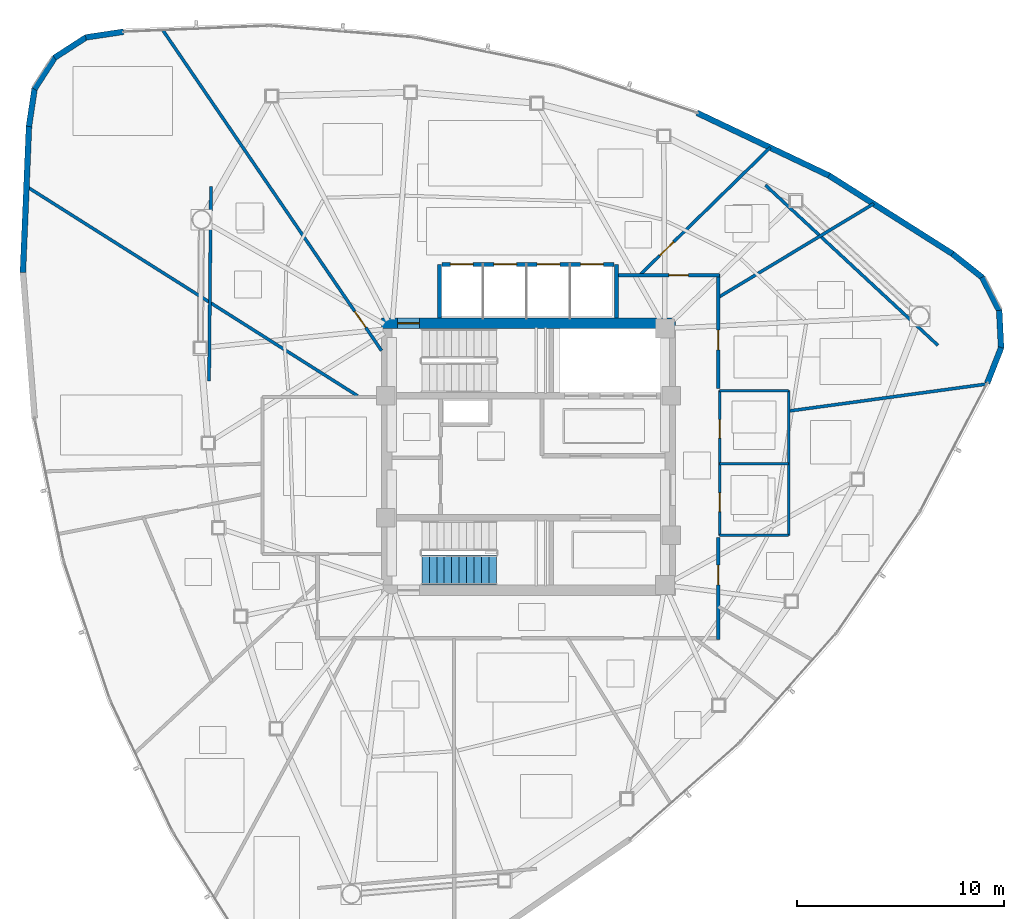
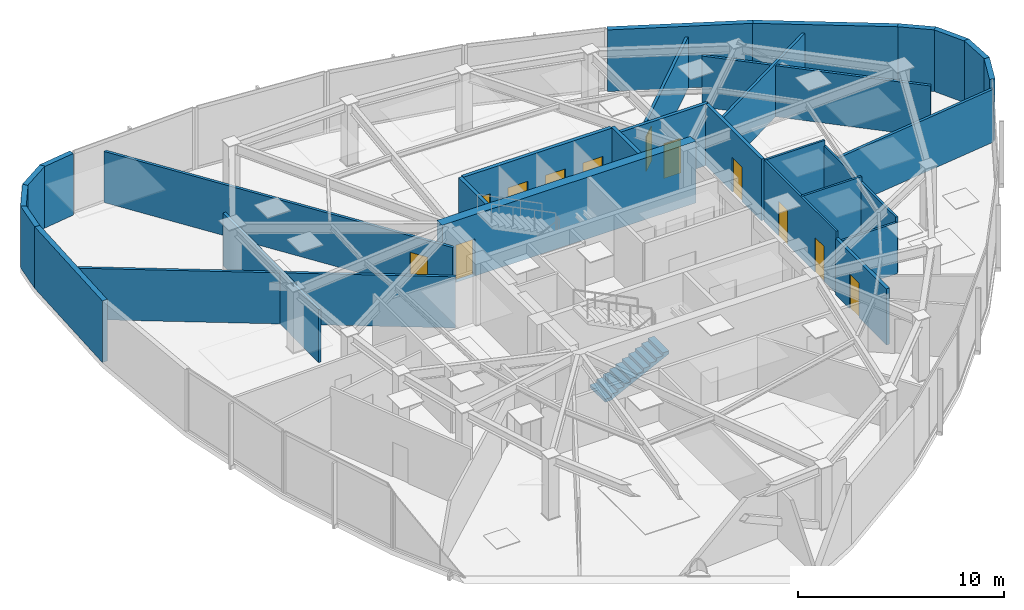
# One storey, part 11 of 15: 30 walls, 12 doors, 1 stair flight, 12 openings, 1 element without a shape of its own.
"""IFC4 building model written with IfcOpenShell, lengths in metres."""

from ifc_helpers import new_model, si_unit, direction, frame, frame_2d, origin, place, context, subcontext, project, spatial, polyline, rectangle, outline, extrude, material, layer, layer_set, type_object, element, fill, aggregate, save


model = new_model("IFC4")

# Units and contexts
model_context = context("Model", 3, precision=1e-05, world=origin(), true_north=direction((0.0, 1.0)))
body_context = subcontext(model_context, "Body", "Model", "MODEL_VIEW")
ifc_project = project(units=[si_unit("LENGTHUNIT", "METRE"), si_unit("AREAUNIT", "SQUARE_METRE"), si_unit("VOLUMEUNIT", "CUBIC_METRE"), si_unit("PLANEANGLEUNIT", "RADIAN"), si_unit("MASSUNIT", "GRAM", prefix="KILO")], contexts=[model_context])

# Site, building, storey
site_placement = place(None, origin())
site = spatial("IfcSite", under=ifc_project, at=site_placement, CompositionType="ELEMENT")
building_placement = place(site_placement, origin())
building = spatial("IfcBuilding", under=site, at=building_placement, Name="Tavelor Broadcast Tower", CompositionType="ELEMENT")
storey_placement = place(building_placement, frame((0.0, 0.0, 230.050048828125)))
storey = spatial("IfcBuildingStorey", under=building, at=storey_placement, Name="L54", CompositionType="ELEMENT", Elevation=230.050048828125)

# Wall, opening, door
ifc_material_1 = material(Name="Concrete C50/60", Category="concrete")
ifc_layer_1 = layer(ifc_material_1, 0.5)
ifc_layer_set_1 = layer_set([ifc_layer_1], Name="Concrete C50/60")
wall_type_1 = type_object("IfcWallType", Name="Core Shear Wall 500 mm", PredefinedType="SHEAR", material=ifc_layer_set_1)
wall_1_placement = place(storey_placement, frame((42.89990234375, 51.449951171875, 0.0), z_axis=(0.0, 0.0, 1.0), x_axis=(1.0, 0.0, 0.0)))
wall_1 = element("IfcWall", 1, at=wall_1_placement, inside=storey, type_object=wall_type_1, Name="L54 Central Core Shear Wall N", PredefinedType="SHEAR", context=body_context, shape_type="SweptSolid", body=[
    extrude(rectangle(XDim=14.2001953125, YDim=0.5, at=frame_2d((7.10009765625, 0.0))), origin(), (0.0, 0.0, 1.0), 3.64990234375),
])
opening_1_placement = place(wall_1_placement, frame((0.780029296875, 0.0, 0.0)))
opening_1 = element("IfcOpeningElement", 2, at=opening_1_placement, cuts=wall_1, Name="Opening DR11", PredefinedType="OPENING", context=body_context, shape_type="SweptSolid", body=[
    extrude(rectangle(XDim=1.050048828125, YDim=2.199951171875, at=frame_2d((0.52490234375, 1.10009765625))), frame((0.0, 0.260009765625, 0.0), z_axis=(0.0, -1.0, 0.0), x_axis=(1.0, 0.0, 0.0)), (0.0, 0.0, 1.0), 0.52001953125),
])
ifc_material_2 = material(Name="Steel S355", Category="steel")
door_type_1 = type_object("IfcDoorType", Name="Stair Core Fire Escape Door 1050x2200", OperationType="NOTDEFINED", PredefinedType="DOOR", material=ifc_material_2)
door_1_placement = place(opening_1_placement, origin())
door_1 = element("IfcDoor", 3, at=door_1_placement, inside=storey, type_object=door_type_1, Name="L54 Stair ST1 Protected Exit Door", OperationType="SINGLE_SWING_LEFT", OverallHeight=2.199951171875, OverallWidth=1.050048828125, PredefinedType="DOOR", context=body_context, shape_type="SweptSolid", body=[
    extrude(rectangle(XDim=1.050048828125, YDim=2.199951171875, at=frame_2d((0.52490234375, 1.10009765625))), frame((0.0, 0.02490234375, 0.0), z_axis=(0.0, -1.0, 0.0), x_axis=(1.0, 0.0, 0.0)), (0.0, 0.0, 1.0), 0.050048828125),
])
fill(opening_1, door_1)

ifc_material_3 = material(Name="Calcium Silicate Fire Board 180 mm", Category="gypsum")
ifc_layer_2 = layer(ifc_material_3, 0.179931640625)
ifc_layer_set_2 = layer_set([ifc_layer_2], Name="Calcium Silicate Fire Board 180 mm")
wall_type_2 = type_object("IfcWallType", Name="Fire-Rated Corridor Partition Wall 180 mm", PredefinedType="PARTITIONING", material=ifc_layer_set_2)
wall_2_placement = place(storey_placement, frame((54.300048828125, 53.780029296875, 0.0), z_axis=(0.0, 0.0, 1.0), x_axis=(1.0, 0.0, 0.0)))
wall_2 = element("IfcWall", 4, at=wall_2_placement, inside=storey, type_object=wall_type_2, Name="L54 Corridor Compartment Wall 01", PredefinedType="PARTITIONING", context=body_context, shape_type="SweptSolid", body=[
    extrude(rectangle(XDim=4.929931640625, YDim=0.179931640625, at=frame_2d((2.46484375, 0.0))), origin(), (0.0, 0.0, 1.0), 3.64990234375),
])
opening_2_placement = place(wall_2_placement, frame((2.486083984375, 0.0, 0.0)))
opening_2 = element("IfcOpeningElement", 5, at=opening_2_placement, cuts=wall_2, Name="Opening DR18", PredefinedType="OPENING", context=body_context, shape_type="SweptSolid", body=[
    extrude(rectangle(XDim=0.949951171875, YDim=2.050048828125, at=frame_2d((0.47509765625, 1.02490234375))), frame((0.0, 0.10009765625, 0.0), z_axis=(0.0, -1.0, 0.0), x_axis=(1.0, 0.0, 0.0)), (0.0, 0.0, 1.0), 0.199951171875),
])
ifc_material_4 = material(Name="Timber Solid Core Hardwood", Category="wood")
door_type_2 = type_object("IfcDoorType", Name="Corridor Rated Compartment Door 950x2050", OperationType="NOTDEFINED", PredefinedType="DOOR", material=ifc_material_4)
door_2_placement = place(opening_2_placement, origin())
door_2 = element("IfcDoor", 6, at=door_2_placement, inside=storey, type_object=door_type_2, Name="L54 Broadcast Craft Workshop Door R9", OperationType="SINGLE_SWING_RIGHT", OverallHeight=2.050048828125, OverallWidth=0.949951171875, PredefinedType="DOOR", context=body_context, shape_type="SweptSolid", body=[
    extrude(rectangle(XDim=0.949951171875, YDim=2.050048828125, at=frame_2d((0.47509765625, 1.02490234375))), frame((0.0, 0.02490234375, 0.0), z_axis=(0.0, -1.0, 0.0), x_axis=(1.0, 0.0, 0.0)), (0.0, 0.0, 1.0), 0.050048828125),
])
fill(opening_2, door_2)

wall_3_placement = place(storey_placement, frame((59.179931640625, 53.830078125, 0.0), z_axis=(0.0, 0.0, 1.0), x_axis=(0.0, -1.0, 0.0)))
wall_3 = element("IfcWall", 7, at=wall_3_placement, inside=storey, type_object=wall_type_2, Name="L54 Corridor Compartment Wall 02", PredefinedType="PARTITIONING", context=body_context, shape_type="SweptSolid", body=[
    extrude(rectangle(XDim=5.530029296875, YDim=0.179931640625, at=frame_2d((2.76513671875, 0.0))), origin(), (0.0, 0.0, 1.0), 3.64990234375),
])
opening_3_placement = place(wall_3_placement, frame((2.708984375, 0.0, 0.0)))
opening_3 = element("IfcOpeningElement", 8, at=opening_3_placement, cuts=wall_3, Name="Opening DR18", PredefinedType="OPENING", context=body_context, shape_type="SweptSolid", body=[
    extrude(rectangle(XDim=0.949951171875, YDim=2.050048828125, at=frame_2d((0.47509765625, 1.02490234375))), frame((0.0, 0.10009765625, 0.0), z_axis=(0.0, -1.0, 0.0), x_axis=(1.0, 0.0, 0.0)), (0.0, 0.0, 1.0), 0.199951171875),
])
door_3_placement = place(opening_3_placement, origin())
door_3 = element("IfcDoor", 9, at=door_3_placement, inside=storey, type_object=door_type_2, Name="L54 Master Control Room Door R10", OperationType="SINGLE_SWING_LEFT", OverallHeight=2.050048828125, OverallWidth=0.949951171875, PredefinedType="DOOR", context=body_context, shape_type="SweptSolid", body=[
    extrude(rectangle(XDim=0.949951171875, YDim=2.050048828125, at=frame_2d((0.47509765625, 1.02490234375))), frame((0.0, 0.02490234375, 0.0), z_axis=(0.0, -1.0, 0.0), x_axis=(1.0, 0.0, 0.0)), (0.0, 0.0, 1.0), 0.050048828125),
])
fill(opening_3, door_3)

wall_4_placement = place(storey_placement, frame((59.179931640625, 41.10009765625, 0.0), z_axis=(0.0, 0.0, 1.0), x_axis=(0.0, -1.0, 0.0)))
wall_4 = element("IfcWall", 10, at=wall_4_placement, inside=storey, type_object=wall_type_2, Name="L54 Corridor Compartment Wall 03", PredefinedType="PARTITIONING", context=body_context, shape_type="SweptSolid", body=[
    extrude(rectangle(XDim=4.93017578125, YDim=0.179931640625, at=frame_2d((2.465087890625, 0.0))), origin(), (0.0, 0.0, 1.0), 3.324951171875),
])
opening_4_placement = place(wall_4_placement, frame((1.341796875, 0.0, 0.0)))
opening_4 = element("IfcOpeningElement", 11, at=opening_4_placement, cuts=wall_4, Name="Opening DR18", PredefinedType="OPENING", context=body_context, shape_type="SweptSolid", body=[
    extrude(rectangle(XDim=0.949951171875, YDim=2.050048828125, at=frame_2d((0.47509765625, 1.02490234375))), frame((0.0, 0.10009765625, 0.0), z_axis=(0.0, -1.0, 0.0), x_axis=(1.0, 0.0, 0.0)), (0.0, 0.0, 1.0), 0.199951171875),
])
door_4_placement = place(opening_4_placement, origin())
door_4 = element("IfcDoor", 12, at=door_4_placement, inside=storey, type_object=door_type_2, Name="L54 Digital Publishing Workspace Door R11", OperationType="SINGLE_SWING_RIGHT", OverallHeight=2.050048828125, OverallWidth=0.949951171875, PredefinedType="DOOR", context=body_context, shape_type="SweptSolid", body=[
    extrude(rectangle(XDim=0.949951171875, YDim=2.050048828125, at=frame_2d((0.47509765625, 1.02490234375))), frame((0.0, 0.02490234375, 0.0), z_axis=(0.0, -1.0, 0.0), x_axis=(1.0, 0.0, 0.0)), (0.0, 0.0, 1.0), 0.050048828125),
])
fill(opening_4, door_4)

# Walls
ifc_material_5 = material(Name="Precast Concrete C40/50", Category="concrete")
ifc_layer_3 = layer(ifc_material_5, 0.280029296875)
ifc_layer_set_3 = layer_set([ifc_layer_3], Name="Precast Concrete C40/50")
wall_type_3 = type_object("IfcWallType", Name="Insulated Precast Terracotta Facade Wall 280 mm", PredefinedType="STANDARD", material=ifc_layer_set_3)
wall_5_placement = place(storey_placement, frame((30.424072265625, 65.544921875, 0.0), z_axis=(0.0, 0.0, 1.0), x_axis=(-0.988886729677, -0.148670897856, 0.0)))
element("IfcWall", 13, at=wall_5_placement, inside=storey, type_object=wall_type_3, Name="L54 Rounded Corner Structural Cladding Pier 01", PredefinedType="STANDARD", context=body_context, shape_type="SweptSolid", body=[
    extrude(rectangle(XDim=1.842529296875, YDim=0.280029296875, at=frame_2d((0.92138671875, 0.0))), origin(), (0.0, 0.0, 1.0), 3.64990234375),
])
wall_6_placement = place(storey_placement, frame((28.62939453125, 65.281494140625, 0.0), z_axis=(0.0, 0.0, 1.0), x_axis=(-0.84006342803, -0.54248819055, 0.0)))
element("IfcWall", 14, at=wall_6_placement, inside=storey, type_object=wall_type_3, Name="L54 Rounded Corner Structural Cladding Pier 02", PredefinedType="STANDARD", context=body_context, shape_type="SweptSolid", body=[
    extrude(rectangle(XDim=1.831298828125, YDim=0.280029296875, at=frame_2d((0.91552734375, 0.0))), origin(), (0.0, 0.0, 1.0), 3.64990234375),
])
wall_7_placement = place(storey_placement, frame((27.11181640625, 64.308837890625, 0.0), z_axis=(0.0, 0.0, 1.0), x_axis=(-0.542394093963, -0.840124185364, 0.0)))
element("IfcWall", 15, at=wall_7_placement, inside=storey, type_object=wall_type_3, Name="L54 Rounded Corner Structural Cladding Pier 03", PredefinedType="STANDARD", context=body_context, shape_type="SweptSolid", body=[
    extrude(rectangle(XDim=1.8310546875, YDim=0.280029296875, at=frame_2d((0.91552734375, 0.0))), origin(), (0.0, 0.0, 1.0), 3.64990234375),
])
wall_8_placement = place(storey_placement, frame((26.12890625, 62.798095703125, 0.0), z_axis=(0.0, 0.0, 1.0), x_axis=(-0.148701117204, -0.988882185977, 0.0)))
element("IfcWall", 16, at=wall_8_placement, inside=storey, type_object=wall_type_3, Name="L54 Rounded Corner Structural Cladding Pier 04", PredefinedType="STANDARD", context=body_context, shape_type="SweptSolid", body=[
    extrude(rectangle(XDim=1.853515625, YDim=0.280029296875, at=frame_2d((0.9267578125, 0.0))), origin(), (0.0, 0.0, 1.0), 3.64990234375),
])
wall_9_placement = place(storey_placement, frame((25.856201171875, 60.994873046875, 0.0), z_axis=(0.0, 0.0, 1.0), x_axis=(-0.041476051047, -0.999139498363, 0.0)))
element("IfcWall", 17, at=wall_9_placement, inside=storey, type_object=wall_type_3, Name="L54 Rounded Corner Structural Cladding Pier 05", PredefinedType="STANDARD", context=body_context, shape_type="SweptSolid", body=[
    extrude(rectangle(XDim=7.098876953125, YDim=0.280029296875, at=frame_2d((3.54931640625, 0.0))), origin(), (0.0, 0.0, 1.0), 3.64990234375),
])
wall_10_placement = place(storey_placement, frame((72.180419921875, 48.56298828125, 0.0), z_axis=(0.0, 0.0, 1.0), x_axis=(0.365672868051, 0.930743441326, 0.0)))
element("IfcWall", 18, at=wall_10_placement, inside=storey, type_object=wall_type_3, Name="L54 Rounded Corner Structural Cladding Pier 21", PredefinedType="STANDARD", context=body_context, shape_type="SweptSolid", body=[
    extrude(rectangle(XDim=1.8427734375, YDim=0.280029296875, at=frame_2d((0.92138671875, 0.0))), origin(), (0.0, 0.0, 1.0), 3.64990234375),
])
wall_11_placement = place(storey_placement, frame((72.849609375, 50.2490234375, 0.0), z_axis=(0.0, 0.0, 1.0), x_axis=(-0.049731472306, 0.998762624782, 0.0)))
element("IfcWall", 19, at=wall_11_placement, inside=storey, type_object=wall_type_3, Name="L54 Rounded Corner Structural Cladding Pier 22", PredefinedType="STANDARD", context=body_context, shape_type="SweptSolid", body=[
    extrude(rectangle(XDim=1.8310546875, YDim=0.280029296875, at=frame_2d((0.91552734375, 0.0))), origin(), (0.0, 0.0, 1.0), 3.64990234375),
])
wall_12_placement = place(storey_placement, frame((72.76611328125, 52.049560546875, 0.0), z_axis=(0.0, 0.0, 1.0), x_axis=(-0.45636266092, 0.889793864734, 0.0)))
element("IfcWall", 20, at=wall_12_placement, inside=storey, type_object=wall_type_3, Name="L54 Rounded Corner Structural Cladding Pier 23", PredefinedType="STANDARD", context=body_context, shape_type="SweptSolid", body=[
    extrude(rectangle(XDim=1.831298828125, YDim=0.280029296875, at=frame_2d((0.91552734375, 0.0))), origin(), (0.0, 0.0, 1.0), 3.64990234375),
])
wall_13_placement = place(storey_placement, frame((71.94921875, 53.65625, 0.0), z_axis=(0.0, 0.0, 1.0), x_axis=(-0.782049521735, 0.62321629115, 0.0)))
element("IfcWall", 21, at=wall_13_placement, inside=storey, type_object=wall_type_3, Name="L54 Rounded Corner Structural Cladding Pier 24", PredefinedType="STANDARD", context=body_context, shape_type="SweptSolid", body=[
    extrude(rectangle(XDim=1.853759765625, YDim=0.280029296875, at=frame_2d((0.9267578125, 0.0))), origin(), (0.0, 0.0, 1.0), 3.64990234375),
])
wall_14_placement = place(storey_placement, frame((70.523681640625, 54.794189453125, 0.0), z_axis=(0.0, 0.0, 1.0), x_axis=(-0.844566618353, 0.535450489927, 0.0)))
element("IfcWall", 22, at=wall_14_placement, inside=storey, type_object=wall_type_3, Name="L54 Rounded Corner Structural Cladding Pier 25", PredefinedType="STANDARD", context=body_context, shape_type="SweptSolid", body=[
    extrude(rectangle(XDim=7.0986328125, YDim=0.280029296875, at=frame_2d((3.54931640625, 0.0))), origin(), (0.0, 0.0, 1.0), 3.64990234375),
])
wall_15_placement = place(storey_placement, frame((64.5546875, 58.580810546875, 0.0), z_axis=(0.0, 0.0, 1.0), x_axis=(-0.903144953619, 0.429335757598, 0.0)))
element("IfcWall", 23, at=wall_15_placement, inside=storey, type_object=wall_type_3, Name="L54 Rounded Corner Structural Cladding Pier 26", PredefinedType="STANDARD", context=body_context, shape_type="SweptSolid", body=[
    extrude(rectangle(XDim=7.087158203125, YDim=0.280029296875, at=frame_2d((3.54345703125, 0.0))), origin(), (0.0, 0.0, 1.0), 3.64990234375),
])
ifc_material_6 = material(Name="Gypsum Acoustic Plasterboard 150 mm", Category="gypsum")
ifc_layer_4 = layer(ifc_material_6, 0.14990234375)
ifc_layer_set_4 = layer_set([ifc_layer_4], Name="Gypsum Acoustic Plasterboard 150 mm")
wall_type_4 = type_object("IfcWallType", Name="Interior Acoustic Partition Wall 150 mm", PredefinedType="PARTITIONING", material=ifc_layer_set_4)
wall_16_placement = place(storey_placement, frame((34.651611328125, 58.0556640625, 0.0), z_axis=(0.0, 0.0, 1.0), x_axis=(-0.009553538759, -0.999954363907, 0.0)))
element("IfcWall", 24, at=wall_16_placement, inside=storey, type_object=wall_type_4, Name="L54 Corner Tube Brace Furring Wall 1", PredefinedType="PARTITIONING", context=body_context, shape_type="SweptSolid", body=[
    extrude(rectangle(XDim=9.404296875, YDim=0.14990234375, at=frame_2d((4.7021484375, 0.0))), origin(), (0.0, 0.0, 1.0), 3.135009765625),
])
wall_17_placement = place(storey_placement, frame((69.79248046875, 50.387939453125, 0.0), z_axis=(0.0, 0.0, 1.0), x_axis=(-0.732769799181, 0.680476613418, 0.0)))
element("IfcWall", 25, at=wall_17_placement, inside=storey, type_object=wall_type_4, Name="L54 Corner Tube Brace Furring Wall 3", PredefinedType="PARTITIONING", context=body_context, shape_type="SweptSolid", body=[
    extrude(rectangle(XDim=11.377685546875, YDim=0.14990234375, at=frame_2d((5.68896484375, 0.0))), origin(), (0.0, 0.0, 1.0), 3.02490234375),
])
wall_18_placement = place(storey_placement, frame((62.64990234375, 47.2177734375, 0.0), z_axis=(0.0, 0.0, 1.0), x_axis=(0.990815623429, 0.135219822396, 0.0)))
element("IfcWall", 26, at=wall_18_placement, inside=storey, type_object=wall_type_4, Name="L54 Radial Compartment Wall 03", PredefinedType="PARTITIONING", context=body_context, shape_type="SweptSolid", body=[
    extrude(rectangle(XDim=9.605224609375, YDim=0.14990234375, at=frame_2d((4.802734375, 0.0))), origin(), (0.0, 0.0, 1.0), 3.135009765625),
])
wall_19_placement = place(storey_placement, frame((59.179931640625, 52.70263671875, 0.0), z_axis=(0.0, 0.0, 1.0), x_axis=(0.856455315382, 0.516221166511, 0.0)))
element("IfcWall", 27, at=wall_19_placement, inside=storey, type_object=wall_type_4, Name="L54 Radial Compartment Wall 04", PredefinedType="PARTITIONING", context=body_context, shape_type="SweptSolid", body=[
    extrude(rectangle(XDim=8.77587890625, YDim=0.14990234375, at=frame_2d((4.387939453125, 0.0))), origin(), (0.0, 0.0, 1.0), 3.135009765625),
])

# Wall, opening, door
wall_20_placement = place(storey_placement, frame((55.3798828125, 53.780029296875, 0.0), z_axis=(0.0, 0.0, 1.0), x_axis=(0.715025713102, 0.699098154484, 0.0)))
wall_20 = element("IfcWall", 28, at=wall_20_placement, inside=storey, type_object=wall_type_4, Name="L54 Radial Compartment Wall 05", PredefinedType="PARTITIONING", context=body_context, shape_type="SweptSolid", body=[
    extrude(rectangle(XDim=8.8291015625, YDim=0.14990234375, at=frame_2d((4.41455078125, 0.0))), origin(), (0.0, 0.0, 1.0), 3.02490234375),
])
opening_5_placement = place(wall_20_placement, frame((1.35009765625, 0.0, 0.0)))
opening_5 = element("IfcOpeningElement", 29, at=opening_5_placement, cuts=wall_20, Name="Opening DR18", PredefinedType="OPENING", context=body_context, shape_type="SweptSolid", body=[
    extrude(rectangle(XDim=0.949951171875, YDim=2.050048828125, at=frame_2d((0.47509765625, 1.02490234375))), frame((0.0, 0.0849609375, 0.0), z_axis=(0.0, -1.0, 0.0), x_axis=(1.0, 0.0, 0.0)), (0.0, 0.0, 1.0), 0.169921875),
])
door_5_placement = place(opening_5_placement, origin())
door_5 = element("IfcDoor", 30, at=door_5_placement, inside=storey, type_object=door_type_2, Name="L54 Suite Connecting Door 8", OperationType="SINGLE_SWING_RIGHT", OverallHeight=2.050048828125, OverallWidth=0.949951171875, PredefinedType="DOOR", context=body_context, shape_type="SweptSolid", body=[
    extrude(rectangle(XDim=0.949951171875, YDim=2.050048828125, at=frame_2d((0.47509765625, 1.02490234375))), frame((0.0, 0.02490234375, 0.0), z_axis=(0.0, -1.0, 0.0), x_axis=(1.0, 0.0, 0.0)), (0.0, 0.0, 1.0), 0.050048828125),
])
fill(opening_5, door_5)

wall_21_placement = place(storey_placement, frame((42.89990234375, 50.1279296875, 0.0), z_axis=(0.0, 0.0, 1.0), x_axis=(-0.563742719505, 0.825950450212, 0.0)))
wall_21 = element("IfcWall", 31, at=wall_21_placement, inside=storey, type_object=wall_type_4, Name="L54 Radial Compartment Wall 06", PredefinedType="PARTITIONING", context=body_context, shape_type="SweptSolid", body=[
    extrude(rectangle(XDim=18.772705078125, YDim=0.14990234375, at=frame_2d((9.38623046875, 0.0))), origin(), (0.0, 0.0, 1.0), 3.02490234375),
])
opening_6_placement = place(wall_21_placement, frame((1.35009765625, 0.0, 0.0)))
opening_6 = element("IfcOpeningElement", 32, at=opening_6_placement, cuts=wall_21, Name="Opening DR18", PredefinedType="OPENING", context=body_context, shape_type="SweptSolid", body=[
    extrude(rectangle(XDim=0.949951171875, YDim=2.050048828125, at=frame_2d((0.47509765625, 1.02490234375))), frame((0.0, 0.0849609375, 0.0), z_axis=(0.0, -1.0, 0.0), x_axis=(1.0, 0.0, 0.0)), (0.0, 0.0, 1.0), 0.169921875),
])
door_6_placement = place(opening_6_placement, origin())
door_6 = element("IfcDoor", 33, at=door_6_placement, inside=storey, type_object=door_type_2, Name="L54 Suite Connecting Door 7", OperationType="SINGLE_SWING_LEFT", OverallHeight=2.050048828125, OverallWidth=0.949951171875, PredefinedType="DOOR", context=body_context, shape_type="SweptSolid", body=[
    extrude(rectangle(XDim=0.949951171875, YDim=2.050048828125, at=frame_2d((0.47509765625, 1.02490234375))), frame((0.0, 0.02490234375, 0.0), z_axis=(0.0, -1.0, 0.0), x_axis=(1.0, 0.0, 0.0)), (0.0, 0.0, 1.0), 0.050048828125),
])
fill(opening_6, door_6)

# Wall
wall_22_placement = place(storey_placement, frame((41.750244140625, 47.93994140625, 0.0), z_axis=(0.0, 0.0, 1.0), x_axis=(-0.845214636511, 0.534426999905, 0.0)))
element("IfcWall", 34, at=wall_22_placement, inside=storey, type_object=wall_type_4, Name="L54 Radial Compartment Wall 07", PredefinedType="PARTITIONING", context=body_context, shape_type="SweptSolid", body=[
    extrude(rectangle(XDim=18.960205078125, YDim=0.14990234375, at=frame_2d((9.47998046875, 0.0))), origin(), (0.0, 0.0, 1.0), 3.02490234375),
])

# Wall, openings, doors
ifc_material_7 = material(Name="Concrete Blockwork 200 mm", Category="masonry")
ifc_layer_5 = layer(ifc_material_7, 0.199951171875)
ifc_layer_set_5 = layer_set([ifc_layer_5], Name="Concrete Blockwork 200 mm")
wall_type_5 = type_object("IfcWallType", Name="Lift Hoistway Rated Front Wall 200 mm", PredefinedType="PARTITIONING", material=ifc_layer_set_5)
wall_23_placement = place(storey_placement, frame((45.820068359375, 54.300048828125, 0.0), z_axis=(0.0, 0.0, 1.0), x_axis=(1.0, 0.0, 0.0)))
wall_23 = element("IfcWall", 35, at=wall_23_placement, inside=storey, type_object=wall_type_5, Name="L54 High-Rise Lift Hoistway Front Wall", PredefinedType="PARTITIONING", context=body_context, shape_type="SweptSolid", body=[
    extrude(rectangle(XDim=8.309814453125, YDim=0.199951171875, at=frame_2d((4.15478515625, 0.0))), origin(), (0.0, 0.0, 1.0), 3.64990234375),
])
opening_7_placement = place(wall_23_placement, frame((0.405029296875, 0.0, 0.0)))
opening_7 = element("IfcOpeningElement", 36, at=opening_7_placement, cuts=wall_23, Name="Opening LD01", PredefinedType="OPENING", context=body_context, shape_type="SweptSolid", body=[
    extrude(rectangle(XDim=1.10009765625, YDim=2.14990234375, at=frame_2d((0.550048828125, 1.074951171875))), frame((0.0, 0.10986328125, 0.0), z_axis=(0.0, -1.0, 0.0), x_axis=(1.0, 0.0, 0.0)), (0.0, 0.0, 1.0), 0.219970703125),
])
opening_8_placement = place(wall_23_placement, frame((2.5048828125, 0.0, 0.0)))
opening_8 = element("IfcOpeningElement", 37, at=opening_8_placement, cuts=wall_23, Name="Opening LD01", PredefinedType="OPENING", context=body_context, shape_type="SweptSolid", body=[
    extrude(rectangle(XDim=1.10009765625, YDim=2.14990234375, at=frame_2d((0.550048828125, 1.074951171875))), frame((0.0, 0.10986328125, 0.0), z_axis=(0.0, -1.0, 0.0), x_axis=(1.0, 0.0, 0.0)), (0.0, 0.0, 1.0), 0.219970703125),
])
opening_9_placement = place(wall_23_placement, frame((4.60498046875, 0.0, 0.0)))
opening_9 = element("IfcOpeningElement", 38, at=opening_9_placement, cuts=wall_23, Name="Opening LD01", PredefinedType="OPENING", context=body_context, shape_type="SweptSolid", body=[
    extrude(rectangle(XDim=1.10009765625, YDim=2.14990234375, at=frame_2d((0.550048828125, 1.074951171875))), frame((0.0, 0.10986328125, 0.0), z_axis=(0.0, -1.0, 0.0), x_axis=(1.0, 0.0, 0.0)), (0.0, 0.0, 1.0), 0.219970703125),
])
opening_10_placement = place(wall_23_placement, frame((6.705078125, 0.0, 0.0)))
opening_10 = element("IfcOpeningElement", 39, at=opening_10_placement, cuts=wall_23, Name="Opening LD01", PredefinedType="OPENING", context=body_context, shape_type="SweptSolid", body=[
    extrude(rectangle(XDim=1.10009765625, YDim=2.14990234375, at=frame_2d((0.550048828125, 1.074951171875))), frame((0.0, 0.10986328125, 0.0), z_axis=(0.0, -1.0, 0.0), x_axis=(1.0, 0.0, 0.0)), (0.0, 0.0, 1.0), 0.219970703125),
])
ifc_material_8 = material(Name="Brushed Stainless Steel", Category="steel")
door_type_3 = type_object("IfcDoorType", Name="Passenger Lift Sliding Landing Door 1100x2150", OperationType="NOTDEFINED", PredefinedType="DOOR", material=ifc_material_8)
door_7_placement = place(opening_7_placement, origin())
door_7 = element("IfcDoor", 40, at=door_7_placement, inside=storey, type_object=door_type_3, Name="L54 Lift PLH1 Sliding Landing Door", OperationType="SLIDING_TO_LEFT", OverallHeight=2.14990234375, OverallWidth=1.10009765625, PredefinedType="DOOR", context=body_context, shape_type="SweptSolid", body=[
    extrude(rectangle(XDim=1.10009765625, YDim=2.14990234375, at=frame_2d((0.550048828125, 1.074951171875))), frame((0.0, 0.02490234375, 0.0), z_axis=(0.0, -1.0, 0.0), x_axis=(1.0, 0.0, 0.0)), (0.0, 0.0, 1.0), 0.050048828125),
])
fill(opening_7, door_7)
door_8_placement = place(opening_8_placement, origin())
door_8 = element("IfcDoor", 41, at=door_8_placement, inside=storey, type_object=door_type_3, Name="L54 Lift PLH2 Sliding Landing Door", OperationType="SLIDING_TO_RIGHT", OverallHeight=2.14990234375, OverallWidth=1.10009765625, PredefinedType="DOOR", context=body_context, shape_type="SweptSolid", body=[
    extrude(rectangle(XDim=1.10009765625, YDim=2.14990234375, at=frame_2d((0.550048828125, 1.074951171875))), frame((0.0, 0.02490234375, 0.0), z_axis=(0.0, -1.0, 0.0), x_axis=(1.0, 0.0, 0.0)), (0.0, 0.0, 1.0), 0.050048828125),
])
fill(opening_8, door_8)
door_9_placement = place(opening_9_placement, origin())
door_9 = element("IfcDoor", 42, at=door_9_placement, inside=storey, type_object=door_type_3, Name="L54 Lift PLH3 Sliding Landing Door", OperationType="SLIDING_TO_LEFT", OverallHeight=2.14990234375, OverallWidth=1.10009765625, PredefinedType="DOOR", context=body_context, shape_type="SweptSolid", body=[
    extrude(rectangle(XDim=1.10009765625, YDim=2.14990234375, at=frame_2d((0.550048828125, 1.074951171875))), frame((0.0, 0.02490234375, 0.0), z_axis=(0.0, -1.0, 0.0), x_axis=(1.0, 0.0, 0.0)), (0.0, 0.0, 1.0), 0.050048828125),
])
fill(opening_9, door_9)
door_10_placement = place(opening_10_placement, origin())
door_10 = element("IfcDoor", 43, at=door_10_placement, inside=storey, type_object=door_type_3, Name="L54 Lift PLH4 Sliding Landing Door", OperationType="SLIDING_TO_RIGHT", OverallHeight=2.14990234375, OverallWidth=1.10009765625, PredefinedType="DOOR", context=body_context, shape_type="SweptSolid", body=[
    extrude(rectangle(XDim=1.10009765625, YDim=2.14990234375, at=frame_2d((0.550048828125, 1.074951171875))), frame((0.0, 0.02490234375, 0.0), z_axis=(0.0, -1.0, 0.0), x_axis=(1.0, 0.0, 0.0)), (0.0, 0.0, 1.0), 0.050048828125),
])
fill(opening_10, door_10)

# Walls
ifc_layer_6 = layer(ifc_material_7, 0.199951171875)
ifc_layer_set_6 = layer_set([ifc_layer_6], Name="Concrete Blockwork 200 mm")
wall_type_6 = type_object("IfcWallType", Name="Lift and Riser Shaft Enclosure Wall 200 mm", PredefinedType="PARTITIONING", material=ifc_layer_set_6)
for number, where, z_axis, x_axis, name in (
    (44, (45.699951171875, 51.699951171875, 0.0), (0.0, 0.0, 1.0), (0.0, 1.0, 0.0), "L54 High-Rise Lift Shaft West Wall"),
    (45, (54.25, 51.699951171875, 0.0), (0.0, 0.0, 1.0), (0.0, 1.0, 0.0), "L54 High-Rise Lift Shaft East Wall"),
):
    element("IfcWall", number, at=place(storey_placement, frame(where, z_axis=z_axis, x_axis=x_axis)), inside=storey, type_object=wall_type_6, Name=name, PredefinedType="PARTITIONING", context=body_context, shape_type="SweptSolid", body=[
        extrude(rectangle(XDim=2.60009765625, YDim=0.199951171875, at=frame_2d((1.300048828125, 0.0))), origin(), (0.0, 0.0, 1.0), 3.64990234375),
    ])

# Wall, openings, doors
ifc_material_9 = material(Name="Moisture-Resistant Plasterboard 120 mm", Category="gypsum")
ifc_layer_7 = layer(ifc_material_9, 0.1201171875)
ifc_layer_set_7 = layer_set([ifc_layer_7], Name="Moisture-Resistant Plasterboard 120 mm")
wall_type_7 = type_object("IfcWallType", Name="Moisture-Resistant Wet-Room Partition 120 mm", PredefinedType="PARTITIONING", material=ifc_layer_set_7)
wall_24_placement = place(storey_placement, frame((59.239990234375, 41.199951171875, 0.0), z_axis=(0.0, 0.0, 1.0), x_axis=(0.0, 1.0, 0.0)))
wall_24 = element("IfcWall", 46, at=wall_24_placement, inside=storey, type_object=wall_type_7, Name="L54 Floor Washrooms West Wall", PredefinedType="PARTITIONING", context=body_context, shape_type="SweptSolid", body=[
    extrude(rectangle(XDim=7.0, YDim=0.1201171875, at=frame_2d((3.5, 0.0))), origin(), (0.0, 0.0, 1.0), 3.64990234375),
])
opening_11_placement = place(wall_24_placement, frame((1.14990234375, 0.0, 0.0)))
opening_11 = element("IfcOpeningElement", 47, at=opening_11_placement, cuts=wall_24, Name="Opening DR32", PredefinedType="OPENING", context=body_context, shape_type="SweptSolid", body=[
    extrude(rectangle(XDim=0.89990234375, YDim=2.050048828125, at=frame_2d((0.449951171875, 1.02490234375))), frame((0.0, 0.070068359375, 0.0), z_axis=(0.0, -1.0, 0.0), x_axis=(1.0, 0.0, 0.0)), (0.0, 0.0, 1.0), 0.14013671875),
])
opening_12_placement = place(wall_24_placement, frame((4.699951171875, 0.0, 0.0)))
opening_12 = element("IfcOpeningElement", 48, at=opening_12_placement, cuts=wall_24, Name="Opening DR32", PredefinedType="OPENING", context=body_context, shape_type="SweptSolid", body=[
    extrude(rectangle(XDim=0.89990234375, YDim=2.050048828125, at=frame_2d((0.449951171875, 1.02490234375))), frame((0.0, 0.070068359375, 0.0), z_axis=(0.0, -1.0, 0.0), x_axis=(1.0, 0.0, 0.0)), (0.0, 0.0, 1.0), 0.14013671875),
])
door_type_4 = type_object("IfcDoorType", Name="Accessible Washroom Door 900x2050", OperationType="NOTDEFINED", PredefinedType="DOOR", material=ifc_material_4)
door_11_placement = place(opening_11_placement, origin())
door_11 = element("IfcDoor", 49, at=door_11_placement, inside=storey, type_object=door_type_4, Name="L54 Accessible WC Door", OperationType="SINGLE_SWING_LEFT", OverallHeight=2.050048828125, OverallWidth=0.89990234375, PredefinedType="DOOR", context=body_context, shape_type="SweptSolid", body=[
    extrude(rectangle(XDim=0.89990234375, YDim=2.050048828125, at=frame_2d((0.449951171875, 1.02490234375))), frame((0.0, 0.02490234375, 0.0), z_axis=(0.0, -1.0, 0.0), x_axis=(1.0, 0.0, 0.0)), (0.0, 0.0, 1.0), 0.050048828125),
])
fill(opening_11, door_11)
door_12_placement = place(opening_12_placement, origin())
door_12 = element("IfcDoor", 50, at=door_12_placement, inside=storey, type_object=door_type_4, Name="L54 Staff Washroom WC Door", OperationType="SINGLE_SWING_RIGHT", OverallHeight=2.050048828125, OverallWidth=0.89990234375, PredefinedType="DOOR", context=body_context, shape_type="SweptSolid", body=[
    extrude(rectangle(XDim=0.89990234375, YDim=2.050048828125, at=frame_2d((0.449951171875, 1.02490234375))), frame((0.0, 0.02490234375, 0.0), z_axis=(0.0, -1.0, 0.0), x_axis=(1.0, 0.0, 0.0)), (0.0, 0.0, 1.0), 0.050048828125),
])
fill(opening_12, door_12)

# Walls
wall_25_placement = place(storey_placement, frame((59.239990234375, 41.199951171875, 0.0), z_axis=(0.0, 0.0, 1.0), x_axis=(1.0, 0.0, 0.0)))
element("IfcWall", 51, at=wall_25_placement, inside=storey, type_object=wall_type_7, Name="L54 Floor Washrooms South Wall", PredefinedType="PARTITIONING", context=body_context, shape_type="SweptSolid", body=[
    extrude(rectangle(XDim=3.340087890625, YDim=0.1201171875, at=frame_2d((1.669921875, 0.0))), origin(), (0.0, 0.0, 1.0), 3.02490234375),
])
for number, where, z_axis, x_axis, name in (
    (52, (59.239990234375, 44.64990234375, 0.0), (0.0, 0.0, 1.0), (1.0, 0.0, 0.0), "L54 Floor Washrooms Divider Wall"),
    (53, (59.239990234375, 48.199951171875, 0.0), (0.0, 0.0, 1.0), (1.0, 0.0, 0.0), "L54 Floor Washrooms North Wall"),
):
    element("IfcWall", number, at=place(storey_placement, frame(where, z_axis=z_axis, x_axis=x_axis)), inside=storey, type_object=wall_type_7, Name=name, PredefinedType="PARTITIONING", context=body_context, shape_type="SweptSolid", body=[
        extrude(rectangle(XDim=3.340087890625, YDim=0.1201171875, at=frame_2d((1.669921875, 0.0))), origin(), (0.0, 0.0, 1.0), 3.64990234375),
    ])
wall_26_placement = place(storey_placement, frame((62.580078125, 41.199951171875, 0.0), z_axis=(0.0, 0.0, 1.0), x_axis=(0.0, 1.0, 0.0)))
element("IfcWall", 54, at=wall_26_placement, inside=storey, type_object=wall_type_7, Name="L54 Floor Washrooms East Wall", PredefinedType="PARTITIONING", context=body_context, shape_type="SweptSolid", body=[
    extrude(rectangle(XDim=7.0, YDim=0.1201171875, at=frame_2d((3.5, 0.0))), origin(), (0.0, 0.0, 1.0), 3.324951171875),
])

# Stair, stair flight
ifc_material_10 = material(Name="Concrete C40/50", Category="concrete")
stair_type = type_object("IfcStairType", Name="Reinforced Concrete Protected Dogleg Stair 1450 mm", PredefinedType="HALF_TURN_STAIR", material=ifc_material_10)
stair_placement = place(storey_placement, origin())
stair = element("IfcStair", 55, at=stair_placement, inside=storey, type_object=stair_type, Name="L54 Protected Core Exit Stair ST2", PredefinedType="HALF_TURN_STAIR")
stair_flight_type = type_object("IfcStairFlightType", Name="Reinforced Concrete Stair Flight 1450 mm", PredefinedType="STRAIGHT", material=ifc_material_10)
stair_flight_placement = place(storey_placement, frame((44.85009765625, 39.52490234375, 0.0), z_axis=(0.0, 0.0, 1.0), x_axis=(1.0, 0.0, 0.0)))
stair_flight = element("IfcStairFlight", 56, at=stair_flight_placement, type_object=stair_flight_type, Name="ST2 flight 1", NumberOfRisers=11, NumberOfTreads=10, PredefinedType="STRAIGHT", RiserHeight=0.179545455, TreadLength=0.36, context=body_context, shape_type="SweptSolid", body=[
    extrude(outline(polyline([(0.0, 0.0), (0.0, 0.179443359375), (0.360107421875, 0.179443359375), (0.360107421875, 0.359130859375), (0.719970703125, 0.359130859375), (0.719970703125, 0.53857421875), (1.080078125, 0.53857421875), (1.080078125, 0.71826171875), (1.43994140625, 0.71826171875), (1.43994140625, 0.897705078125), (1.800048828125, 0.897705078125), (1.800048828125, 1.077392578125), (2.159912109375, 1.077392578125), (2.159912109375, 1.2568359375), (2.52001953125, 1.2568359375), (2.52001953125, 1.436279296875), (2.8798828125, 1.436279296875), (2.8798828125, 1.615966796875), (3.239990234375, 1.615966796875), (3.239990234375, 1.79541015625), (3.60009765625, 1.79541015625), (3.60009765625, 1.97509765625), (3.60009765625, 1.6279296875), (0.3359375, 0.0), (0.0, 0.0)])), frame((0.0, 0.72509765625, 0.0), z_axis=(0.0, -1.0, 0.0), x_axis=(1.0, 0.0, 0.0)), (0.0, 0.0, 1.0), 1.449951171875),
])
aggregate(stair, [stair_flight])

save(model, "model.ifc")
